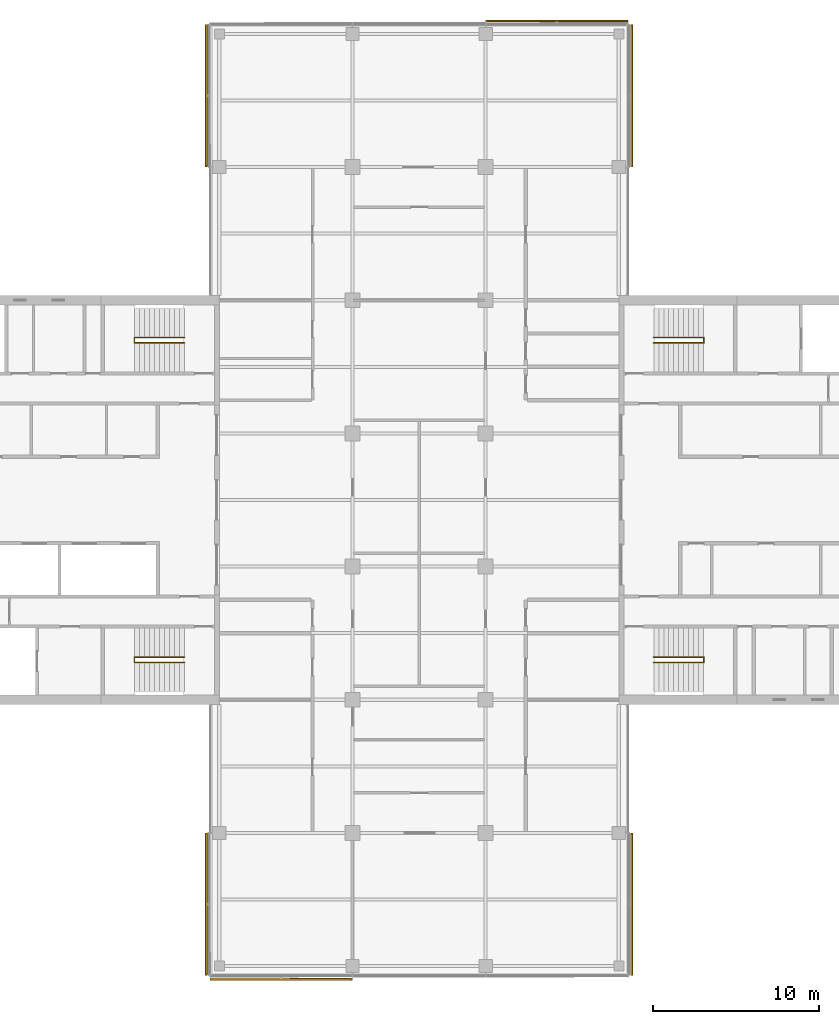
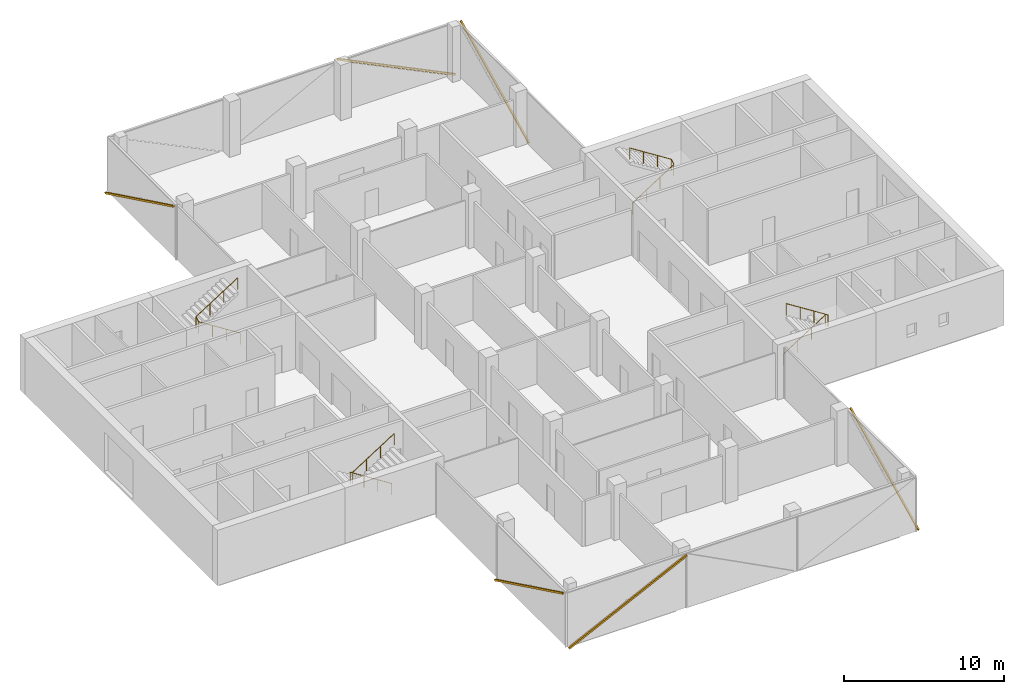
# One storey, part 16 of 16: 6 shading devices, 4 railings, 6 elements without a shape of their own.
"""IFC4 building model written with IfcOpenShell, lengths in metres."""

import ifcopenshell
import ifcopenshell.guid

model = None  # the IFC model being written
_history = None  # IfcOwnerHistory: only IFC2X3 demands one
_inside = {}  # id of a spatial element -> (the spatial element, [elements in it])
_under = {}  # id of a project, library or spatial element -> (it, [spatial elements below it])
_declared = {}  # id of a project -> (the project, [libraries it declares])
_typed = {}  # id of a type object -> (the type object, [elements of that type])
_made_of = {}  # id of a material, layer set ... -> (it, [elements and type objects made of it])


def new_model(schema):
    """Start an empty IFC model of exactly this schema.

    Asked for "IFC4X3", IfcOpenShell would pick the latest addendum, in which some entities
    have other attributes; the version numbers below select the first issue.
    IFC2X3 requires an IfcOwnerHistory on every rooted entity: one is made here for all.
    """
    global model, _history
    if schema == "IFC4X3":
        model = ifcopenshell.file(schema_version=(4, 3, 0, 0))
    else:
        model = ifcopenshell.file(schema=schema)
    _inside.clear()
    _under.clear()
    _declared.clear()
    _typed.clear()
    _made_of.clear()
    _history = None
    if model.schema == "IFC2X3":
        org = make("IfcOrganization", Name="unknown")
        user = make(
            "IfcPersonAndOrganization",
            ThePerson=make("IfcPerson", FamilyName="unknown"),
            TheOrganization=org,
        )
        app = make(
            "IfcApplication",
            ApplicationDeveloper=org,
            Version="unknown",
            ApplicationFullName="unknown",
            ApplicationIdentifier="unknown",
        )
        _history = make(
            "IfcOwnerHistory",
            OwningUser=user,
            OwningApplication=app,
            ChangeAction="ADDED",
            CreationDate=0,
        )
    return model


def make(cls, **values):
    """One entity of the class cls with the attributes given. An attribute that is None is left unset."""
    return model.create_entity(
        cls, **{name: value for name, value in values.items() if value is not None}
    )


def rooted(cls, **values):
    """An entity with a GlobalId (a new one), such as an element, a storey or a relation."""
    return make(cls, GlobalId=ifcopenshell.guid.new(), OwnerHistory=_history, **values)


def si_unit(unit_type, name, prefix=None):
    """IfcSIUnit, for example si_unit("LENGTHUNIT", "METRE", prefix="MILLI")."""
    return make("IfcSIUnit", UnitType=unit_type, Prefix=prefix, Name=name)


def assignment(units):
    """IfcUnitAssignment: the units of a project."""
    return None if units is None else make("IfcUnitAssignment", Units=units)


def point(xyz):
    """IfcCartesianPoint."""
    return None if xyz is None else make("IfcCartesianPoint", Coordinates=xyz)


def direction(xyz):
    """IfcDirection."""
    return None if xyz is None else make("IfcDirection", DirectionRatios=xyz)


def frame(location, z_axis=None, x_axis=None):
    """IfcAxis2Placement3D, a coordinate frame: its origin and axes. An axis left out is left unset."""
    return make(
        "IfcAxis2Placement3D",
        Location=point(location),
        Axis=direction(z_axis),
        RefDirection=direction(x_axis),
    )


def frame_2d(location, x_axis=None):
    """IfcAxis2Placement2D, a coordinate frame in the plane: its origin and x axis."""
    return make(
        "IfcAxis2Placement2D", Location=point(location), RefDirection=direction(x_axis)
    )


def origin():
    """The frame at (0, 0, 0) with its axes left unset."""
    return frame((0.0, 0.0, 0.0))


def origin_2d():
    """The frame at (0, 0) in the plane with its x axis left unset."""
    return frame_2d((0.0, 0.0))


def place(relative_to, where):
    """IfcLocalPlacement: puts the frame where relative to a parent placement (None: the world)."""
    return make(
        "IfcLocalPlacement", PlacementRelTo=relative_to, RelativePlacement=where
    )


def context(
    kind, dimensions, precision=None, world=None, true_north=None, identifier=None
):
    """IfcGeometricRepresentationContext, for example the 3D "Model" context."""
    return make(
        "IfcGeometricRepresentationContext",
        ContextIdentifier=identifier,
        ContextType=kind,
        CoordinateSpaceDimension=dimensions,
        Precision=precision,
        WorldCoordinateSystem=world,
        TrueNorth=true_north,
    )


def subcontext(parent, identifier, kind, view, scale=None):
    """IfcGeometricRepresentationSubContext, for example "Body" below "Model"."""
    return make(
        "IfcGeometricRepresentationSubContext",
        ContextIdentifier=identifier,
        ContextType=kind,
        ParentContext=parent,
        TargetScale=scale,
        TargetView=view,
    )


def project(units=None, contexts=None):
    """IfcProject with its units and contexts."""
    return rooted(
        "IfcProject",
        Name="project",
        RepresentationContexts=contexts,
        UnitsInContext=assignment(units),
    )


def spatial(cls, under=None, at=None, **own):
    """A site, building, storey or space (cls), placed at a placement, below another one or the project."""
    s = rooted(cls, ObjectPlacement=at, **own)
    if under is not None:
        _under.setdefault(under.id(), (under, []))[1].append(s)
    return s


def profile(cls, at=None, kind="AREA", **sizes):
    """A parametric profile (cls). Its sizes go by their IFC names, for example OverallWidth=200.0."""
    return make(cls, ProfileType=kind, Position=at, **sizes)


def rectangle(**sizes):
    """IfcRectangleProfileDef."""
    return profile("IfcRectangleProfileDef", **sizes)


def circle(**sizes):
    """IfcCircleProfileDef."""
    return profile("IfcCircleProfileDef", **sizes)


def extrude(swept, where, along, depth):
    """IfcExtrudedAreaSolid: the profile swept, set in the frame where, extruded along a direction by depth."""
    return make(
        "IfcExtrudedAreaSolid",
        SweptArea=swept,
        Position=where,
        ExtrudedDirection=direction(along),
        Depth=depth,
    )


def shape(context_of_items, identifier, shape_type, items):
    """IfcShapeRepresentation: the items that make up one representation, for example the "Body"."""
    return make(
        "IfcShapeRepresentation",
        ContextOfItems=context_of_items,
        RepresentationIdentifier=identifier,
        RepresentationType=shape_type,
        Items=items,
    )


def material(Name=None, Category=None):
    """IfcMaterial."""
    return make("IfcMaterial", Name=Name, Category=Category)


def material_profile(
    of_material, cross_section, Name=None, Category=None, Priority=None
):
    """IfcMaterialProfile: a cross section and its material."""
    return make(
        "IfcMaterialProfile",
        Name=Name,
        Material=of_material,
        Profile=cross_section,
        Priority=Priority,
        Category=Category,
    )


def profile_set(profiles, Name=None, composite=None):
    """IfcMaterialProfileSet."""
    return make(
        "IfcMaterialProfileSet",
        Name=Name,
        MaterialProfiles=profiles,
        CompositeProfile=composite,
    )


def made_of(thing, what):
    """Note that an element or type object is made of a material, layer set ...; save() writes the relation."""
    if what is not None:
        _made_of.setdefault(what.id(), (what, []))[1].append(thing)
    return thing


def type_object(cls, material=None, **own):
    """A type object (cls), such as IfcWallType, which elements share."""
    return made_of(rooted(cls, **own), material)


def element(
    cls,
    number,
    at=None,
    inside=None,
    cuts=None,
    type_object=None,
    material=None,
    context=None,
    identifier="Body",
    shape_type=None,
    held_by="IfcProductDefinitionShape",
    body=None,
    shapes=None,
    **own,
):
    """One element of the class cls, such as IfcWall. Its Tag is "e" and its number.

    at: its placement. inside: the storey or other place that contains it. cuts: it is an
    opening in that element (IfcRelVoidsElement). A single representation is given by context,
    identifier, shape_type and body (its items); several are given by shapes. held_by: the class
    of the entity that holds the representations. save() writes the other relations.
    """
    e = rooted(cls, Tag="e%d" % number, ObjectPlacement=at, **own)
    if body is not None:
        shapes = [shape(context, identifier, shape_type, body)]
    if shapes is not None:
        e.Representation = make(held_by, Representations=shapes)
    if inside is not None:
        _inside.setdefault(inside.id(), (inside, []))[1].append(e)
    if cuts is not None:
        rooted(
            "IfcRelVoidsElement", RelatingBuildingElement=cuts, RelatedOpeningElement=e
        )
    if type_object is not None:
        _typed.setdefault(type_object.id(), (type_object, []))[1].append(e)
    return made_of(e, material)


def aggregate(whole, parts):
    """IfcRelAggregates: a whole, such as a stair, and the parts it consists of."""
    return rooted("IfcRelAggregates", RelatingObject=whole, RelatedObjects=parts)


def save(model, path):
    """Write the relations noted so far, then the file.

    IfcRelAggregates (storeys below a building ...), IfcRelContainedInSpatialStructure (elements
    in a storey), IfcRelDefinesByType, IfcRelAssociatesMaterial and IfcRelDeclares: one each for
    every whole, place, type object, material and project.
    """
    for whole, parts in _under.values():
        aggregate(whole, parts)
    for where, things in _inside.values():
        rooted(
            "IfcRelContainedInSpatialStructure",
            RelatedElements=things,
            RelatingStructure=where,
        )
    for kind, things in _typed.values():
        rooted("IfcRelDefinesByType", RelatedObjects=things, RelatingType=kind)
    for what, things in _made_of.values():
        rooted("IfcRelAssociatesMaterial", RelatedObjects=things, RelatingMaterial=what)
    for by, libraries in _declared.values():
        rooted("IfcRelDeclares", RelatingContext=by, RelatedDefinitions=libraries)
    model.write(path)


model = new_model("IFC4")

# Units and contexts
model_context = context("Model", 3, precision=1e-05, world=origin(), true_north=direction((0.0, 1.0)))
body_context = subcontext(model_context, "Body", "Model", "MODEL_VIEW")
ifc_project = project(units=[si_unit("LENGTHUNIT", "METRE"), si_unit("AREAUNIT", "SQUARE_METRE"), si_unit("VOLUMEUNIT", "CUBIC_METRE"), si_unit("PLANEANGLEUNIT", "RADIAN"), si_unit("MASSUNIT", "GRAM", prefix="KILO")], contexts=[model_context])

# Site, building, storey
site_placement = place(None, origin())
site = spatial("IfcSite", under=ifc_project, at=site_placement, CompositionType="ELEMENT")
building_placement = place(site_placement, origin())
building = spatial("IfcBuilding", under=site, at=building_placement, Name="Crosswind Convention Tower", CompositionType="ELEMENT")
storey_placement = place(building_placement, frame((0.0, 0.0, 208.300048828125)))
storey = spatial("IfcBuildingStorey", under=building, at=storey_placement, Name="L44", CompositionType="ELEMENT", Elevation=208.300048828125)

# Railings
ifc_material_1 = material(Name="Stainless steel", Category="steel")
railing_type = type_object("IfcRailingType", Name="Stair handrail 900", PredefinedType="HANDRAIL", material=ifc_material_1)
railing_1_placement = place(storey_placement, frame((139.10009765625, 109.43994140625, 0.19091796875)))
element("IfcRailing", 1, at=railing_1_placement, inside=storey, type_object=railing_type, Name="Stair ST1 handrail L44", PredefinedType="HANDRAIL", context=body_context, shape_type="SweptSolid", body=[
    extrude(circle(Radius=0.02392578125, at=origin_2d()), frame((0.0, 0.0, 0.8759765625), z_axis=(0.843681277094, 0.0, 0.536844393359), x_axis=(0.0, 1.0, 0.0)), (0.0, 0.0, 1.0), 3.555908203125),
    extrude(circle(Radius=0.02392578125, at=origin_2d()), frame((3.0, 0.0, 2.78466796875), z_axis=(0.0, 0.858819504967, 0.512278301208), x_axis=(-1.0, 0.0, 0.0)), (0.0, 0.0, 1.0), 0.372802734375),
    extrude(circle(Radius=0.02392578125, at=origin_2d()), frame((3.0, 0.320068359375, 2.9755859375), z_axis=(-0.843650179428, 0.0, 0.536893261973), x_axis=(0.0, -1.0, 0.0)), (0.0, 0.0, 1.0), 3.555908203125),
    extrude(circle(Radius=0.02099609375, at=origin_2d()), origin(), (0.0, 0.0, 1.0), 0.851806640625),
    extrude(circle(Radius=0.02099609375, at=origin_2d()), frame((1.0, 0.0, 0.63623046875)), (0.0, 0.0, 1.0), 0.851806640625),
    extrude(circle(Radius=0.02099609375, at=origin_2d()), frame((2.0, 0.0, 1.272705078125)), (0.0, 0.0, 1.0), 0.851806640625),
    extrude(circle(Radius=0.02099609375, at=origin_2d()), frame((3.0, 0.0, 1.908935546875)), (0.0, 0.0, 1.0), 0.851806640625),
    extrude(circle(Radius=0.02099609375, at=origin_2d()), frame((3.0, 0.320068359375, 2.099853515625)), (0.0, 0.0, 1.0), 0.851806640625),
    extrude(circle(Radius=0.02099609375, at=origin_2d()), frame((2.0, 0.320068359375, 2.736328125)), (0.0, 0.0, 1.0), 0.851806640625),
    extrude(circle(Radius=0.02099609375, at=origin_2d()), frame((1.0, 0.320068359375, 3.37255859375)), (0.0, 0.0, 1.0), 0.851806640625),
    extrude(circle(Radius=0.02099609375, at=origin_2d()), frame((0.0, 0.320068359375, 4.009033203125)), (0.0, 0.0, 1.0), 0.851806640625),
])
railing_2_placement = place(storey_placement, frame((139.10009765625, 90.56005859375, 0.19091796875)))
element("IfcRailing", 2, at=railing_2_placement, inside=storey, type_object=railing_type, Name="Stair ST2 handrail L44", PredefinedType="HANDRAIL", context=body_context, shape_type="SweptSolid", body=[
    extrude(circle(Radius=0.02392578125, at=origin_2d()), frame((0.0, 0.0, 0.8759765625), z_axis=(0.843681277094, 0.0, 0.536844393359), x_axis=(0.0, 1.0, 0.0)), (0.0, 0.0, 1.0), 3.555908203125),
    extrude(circle(Radius=0.02392578125, at=origin_2d()), frame((3.0, 0.0, 2.78466796875), z_axis=(0.0, -0.858819504967, 0.512278301208), x_axis=(1.0, 0.0, 0.0)), (0.0, 0.0, 1.0), 0.372802734375),
    extrude(circle(Radius=0.02392578125, at=origin_2d()), frame((3.0, -0.320068359375, 2.9755859375), z_axis=(-0.843650179428, 0.0, 0.536893261973), x_axis=(0.0, -1.0, 0.0)), (0.0, 0.0, 1.0), 3.555908203125),
    extrude(circle(Radius=0.02099609375, at=origin_2d()), origin(), (0.0, 0.0, 1.0), 0.851806640625),
    extrude(circle(Radius=0.02099609375, at=origin_2d()), frame((1.0, 0.0, 0.63623046875)), (0.0, 0.0, 1.0), 0.851806640625),
    extrude(circle(Radius=0.02099609375, at=origin_2d()), frame((2.0, 0.0, 1.272705078125)), (0.0, 0.0, 1.0), 0.851806640625),
    extrude(circle(Radius=0.02099609375, at=origin_2d()), frame((3.0, 0.0, 1.908935546875)), (0.0, 0.0, 1.0), 0.851806640625),
    extrude(circle(Radius=0.02099609375, at=origin_2d()), frame((3.0, -0.320068359375, 2.099853515625)), (0.0, 0.0, 1.0), 0.851806640625),
    extrude(circle(Radius=0.02099609375, at=origin_2d()), frame((2.0, -0.320068359375, 2.736328125)), (0.0, 0.0, 1.0), 0.851806640625),
    extrude(circle(Radius=0.02099609375, at=origin_2d()), frame((1.0, -0.320068359375, 3.37255859375)), (0.0, 0.0, 1.0), 0.851806640625),
    extrude(circle(Radius=0.02099609375, at=origin_2d()), frame((0.0, -0.320068359375, 4.009033203125)), (0.0, 0.0, 1.0), 0.851806640625),
])
railing_3_placement = place(storey_placement, frame((110.89990234375, 90.56005859375, 0.19091796875)))
element("IfcRailing", 3, at=railing_3_placement, inside=storey, type_object=railing_type, Name="Stair ST3 handrail L44", PredefinedType="HANDRAIL", context=body_context, shape_type="SweptSolid", body=[
    extrude(circle(Radius=0.02392578125, at=origin_2d()), frame((0.0, 0.0, 0.8759765625), z_axis=(-0.843681277094, 0.0, 0.536844393359), x_axis=(0.0, -1.0, 0.0)), (0.0, 0.0, 1.0), 3.555908203125),
    extrude(circle(Radius=0.02392578125, at=origin_2d()), frame((-3.0, 0.0, 2.78466796875), z_axis=(0.0, -0.858819504967, 0.512278301208), x_axis=(1.0, 0.0, 0.0)), (0.0, 0.0, 1.0), 0.372802734375),
    extrude(circle(Radius=0.02392578125, at=origin_2d()), frame((-3.0, -0.320068359375, 2.9755859375), z_axis=(0.843650179428, 0.0, 0.536893261973), x_axis=(0.0, 1.0, 0.0)), (0.0, 0.0, 1.0), 3.555908203125),
    extrude(circle(Radius=0.02099609375, at=origin_2d()), origin(), (0.0, 0.0, 1.0), 0.851806640625),
    extrude(circle(Radius=0.02099609375, at=origin_2d()), frame((-1.0, 0.0, 0.63623046875)), (0.0, 0.0, 1.0), 0.851806640625),
    extrude(circle(Radius=0.02099609375, at=origin_2d()), frame((-2.0, 0.0, 1.272705078125)), (0.0, 0.0, 1.0), 0.851806640625),
    extrude(circle(Radius=0.02099609375, at=origin_2d()), frame((-3.0, 0.0, 1.908935546875)), (0.0, 0.0, 1.0), 0.851806640625),
    extrude(circle(Radius=0.02099609375, at=origin_2d()), frame((-3.0, -0.320068359375, 2.099853515625)), (0.0, 0.0, 1.0), 0.851806640625),
    extrude(circle(Radius=0.02099609375, at=origin_2d()), frame((-2.0, -0.320068359375, 2.736328125)), (0.0, 0.0, 1.0), 0.851806640625),
    extrude(circle(Radius=0.02099609375, at=origin_2d()), frame((-1.0, -0.320068359375, 3.37255859375)), (0.0, 0.0, 1.0), 0.851806640625),
    extrude(circle(Radius=0.02099609375, at=origin_2d()), frame((0.0, -0.320068359375, 4.009033203125)), (0.0, 0.0, 1.0), 0.851806640625),
])
railing_4_placement = place(storey_placement, frame((110.89990234375, 109.43994140625, 0.19091796875)))
element("IfcRailing", 4, at=railing_4_placement, inside=storey, type_object=railing_type, Name="Stair ST4 handrail L44", PredefinedType="HANDRAIL", context=body_context, shape_type="SweptSolid", body=[
    extrude(circle(Radius=0.02392578125, at=origin_2d()), frame((0.0, 0.0, 0.8759765625), z_axis=(-0.843681277094, 0.0, 0.536844393359), x_axis=(0.0, -1.0, 0.0)), (0.0, 0.0, 1.0), 3.555908203125),
    extrude(circle(Radius=0.02392578125, at=origin_2d()), frame((-3.0, 0.0, 2.78466796875), z_axis=(0.0, 0.858819504967, 0.512278301208), x_axis=(-1.0, 0.0, 0.0)), (0.0, 0.0, 1.0), 0.372802734375),
    extrude(circle(Radius=0.02392578125, at=origin_2d()), frame((-3.0, 0.320068359375, 2.9755859375), z_axis=(0.843650179428, 0.0, 0.536893261973), x_axis=(0.0, 1.0, 0.0)), (0.0, 0.0, 1.0), 3.555908203125),
    extrude(circle(Radius=0.02099609375, at=origin_2d()), origin(), (0.0, 0.0, 1.0), 0.851806640625),
    extrude(circle(Radius=0.02099609375, at=origin_2d()), frame((-1.0, 0.0, 0.63623046875)), (0.0, 0.0, 1.0), 0.851806640625),
    extrude(circle(Radius=0.02099609375, at=origin_2d()), frame((-2.0, 0.0, 1.272705078125)), (0.0, 0.0, 1.0), 0.851806640625),
    extrude(circle(Radius=0.02099609375, at=origin_2d()), frame((-3.0, 0.0, 1.908935546875)), (0.0, 0.0, 1.0), 0.851806640625),
    extrude(circle(Radius=0.02099609375, at=origin_2d()), frame((-3.0, 0.320068359375, 2.099853515625)), (0.0, 0.0, 1.0), 0.851806640625),
    extrude(circle(Radius=0.02099609375, at=origin_2d()), frame((-2.0, 0.320068359375, 2.736328125)), (0.0, 0.0, 1.0), 0.851806640625),
    extrude(circle(Radius=0.02099609375, at=origin_2d()), frame((-1.0, 0.320068359375, 3.37255859375)), (0.0, 0.0, 1.0), 0.851806640625),
    extrude(circle(Radius=0.02099609375, at=origin_2d()), frame((0.0, 0.320068359375, 4.009033203125)), (0.0, 0.0, 1.0), 0.851806640625),
])

# Curtain wall, shading device
ifc_material_2 = material(Name="Aluminium unitised curtain wall", Category="aluminium")
curtain_wall_type = type_object("IfcCurtainWallType", Name="OFFICE UNITISED WALL 220", PredefinedType="USERDEFINED", material=ifc_material_2)
curtain_wall_1_placement = place(storey_placement, origin())
curtain_wall_1 = element("IfcCurtainWall", 5, at=curtain_wall_1_placement, inside=storey, type_object=curtain_wall_type, Name="CW3 L44 N-E 1", ObjectType="UNITISED", PredefinedType="USERDEFINED")
ifc_material_3 = material(Name="Extruded terracotta", Category="masonry")
ifc_material_profile = material_profile(ifc_material_3, rectangle(XDim=0.110107421875, YDim=0.1298828125, at=origin_2d()), Name="TC 110X130")
ifc_profile_set = profile_set([ifc_material_profile], Name="Extruded terracotta")
shading_device_type = type_object("IfcShadingDeviceType", Name="TERRACOTTA BAGUETTE 130X110", PredefinedType="USERDEFINED", material=ifc_profile_set)
shading_device_1_placement = place(storey_placement, frame((137.781005859375, 120.034912109375, -0.300048828125), z_axis=(0.0, 0.899251034354, 0.437432940248), x_axis=(-1.0, 0.0, 0.0)))
shading_device_1 = element("IfcShadingDevice", 6, at=shading_device_1_placement, type_object=shading_device_type, Name="CW3 terracotta baguette 1", ObjectType="BAGUETTE", PredefinedType="USERDEFINED", context=body_context, shape_type="SweptSolid", body=[
    extrude(rectangle(XDim=0.110107421875, YDim=0.1298828125, at=origin_2d()), origin(), (0.0, 0.0, 1.0), 9.441162109375),
])
aggregate(curtain_wall_1, [shading_device_1])

curtain_wall_2_placement = place(storey_placement, origin())
curtain_wall_2 = element("IfcCurtainWall", 7, at=curtain_wall_2_placement, inside=storey, type_object=curtain_wall_type, Name="CW3 L44 N-TIP 1", ObjectType="UNITISED", PredefinedType="USERDEFINED")
shading_device_2_placement = place(storey_placement, frame((137.52490234375, 128.781005859375, -0.300048828125), z_axis=(-0.899251034354, 0.0, 0.437432940248), x_axis=(0.0, -1.0, 0.0)))
shading_device_2 = element("IfcShadingDevice", 8, at=shading_device_2_placement, type_object=shading_device_type, Name="CW3 terracotta baguette 1", ObjectType="BAGUETTE", PredefinedType="USERDEFINED", context=body_context, shape_type="SweptSolid", body=[
    extrude(rectangle(XDim=0.110107421875, YDim=0.1298828125, at=origin_2d()), origin(), (0.0, 0.0, 1.0), 9.441162109375),
])
aggregate(curtain_wall_2, [shading_device_2])

curtain_wall_3_placement = place(storey_placement, origin())
curtain_wall_3 = element("IfcCurtainWall", 9, at=curtain_wall_3_placement, inside=storey, type_object=curtain_wall_type, Name="CW3 L44 N-W 1", ObjectType="UNITISED", PredefinedType="USERDEFINED")
shading_device_3_placement = place(storey_placement, frame((112.218994140625, 128.52490234375, -0.300048828125), z_axis=(0.0, -0.899251034354, 0.437432940248), x_axis=(1.0, 0.0, 0.0)))
shading_device_3 = element("IfcShadingDevice", 10, at=shading_device_3_placement, type_object=shading_device_type, Name="CW3 terracotta baguette 1", ObjectType="BAGUETTE", PredefinedType="USERDEFINED", context=body_context, shape_type="SweptSolid", body=[
    extrude(rectangle(XDim=0.110107421875, YDim=0.1298828125, at=origin_2d()), origin(), (0.0, 0.0, 1.0), 9.441162109375),
])
aggregate(curtain_wall_3, [shading_device_3])

curtain_wall_4_placement = place(storey_placement, origin())
curtain_wall_4 = element("IfcCurtainWall", 11, at=curtain_wall_4_placement, inside=storey, type_object=curtain_wall_type, Name="CW3 L44 S-W 1", ObjectType="UNITISED", PredefinedType="USERDEFINED")
shading_device_4_placement = place(storey_placement, frame((112.218994140625, 79.965087890625, -0.300048828125), z_axis=(0.0, -0.899251034354, 0.437432940248), x_axis=(1.0, 0.0, 0.0)))
shading_device_4 = element("IfcShadingDevice", 12, at=shading_device_4_placement, type_object=shading_device_type, Name="CW3 terracotta baguette 1", ObjectType="BAGUETTE", PredefinedType="USERDEFINED", context=body_context, shape_type="SweptSolid", body=[
    extrude(rectangle(XDim=0.110107421875, YDim=0.1298828125, at=origin_2d()), origin(), (0.0, 0.0, 1.0), 9.441162109375),
])
aggregate(curtain_wall_4, [shading_device_4])

curtain_wall_5_placement = place(storey_placement, origin())
curtain_wall_5 = element("IfcCurtainWall", 13, at=curtain_wall_5_placement, inside=storey, type_object=curtain_wall_type, Name="CW3 L44 S-TIP 1", ObjectType="UNITISED", PredefinedType="USERDEFINED")
shading_device_5_placement = place(storey_placement, frame((112.47509765625, 71.218994140625, -0.300048828125), z_axis=(0.899251034354, 0.0, 0.437432940248), x_axis=(0.0, 1.0, 0.0)))
shading_device_5 = element("IfcShadingDevice", 14, at=shading_device_5_placement, type_object=shading_device_type, Name="CW3 terracotta baguette 1", ObjectType="BAGUETTE", PredefinedType="USERDEFINED", context=body_context, shape_type="SweptSolid", body=[
    extrude(rectangle(XDim=0.110107421875, YDim=0.1298828125, at=origin_2d()), origin(), (0.0, 0.0, 1.0), 9.441162109375),
])
aggregate(curtain_wall_5, [shading_device_5])

curtain_wall_6_placement = place(storey_placement, origin())
curtain_wall_6 = element("IfcCurtainWall", 15, at=curtain_wall_6_placement, inside=storey, type_object=curtain_wall_type, Name="CW3 L44 S-E 1", ObjectType="UNITISED", PredefinedType="USERDEFINED")
shading_device_6_placement = place(storey_placement, frame((137.781005859375, 71.47509765625, -0.300048828125), z_axis=(0.0, 0.899251034354, 0.437432940248), x_axis=(-1.0, 0.0, 0.0)))
shading_device_6 = element("IfcShadingDevice", 16, at=shading_device_6_placement, type_object=shading_device_type, Name="CW3 terracotta baguette 1", ObjectType="BAGUETTE", PredefinedType="USERDEFINED", context=body_context, shape_type="SweptSolid", body=[
    extrude(rectangle(XDim=0.110107421875, YDim=0.1298828125, at=origin_2d()), origin(), (0.0, 0.0, 1.0), 9.441162109375),
])
aggregate(curtain_wall_6, [shading_device_6])

save(model, "model.ifc")
